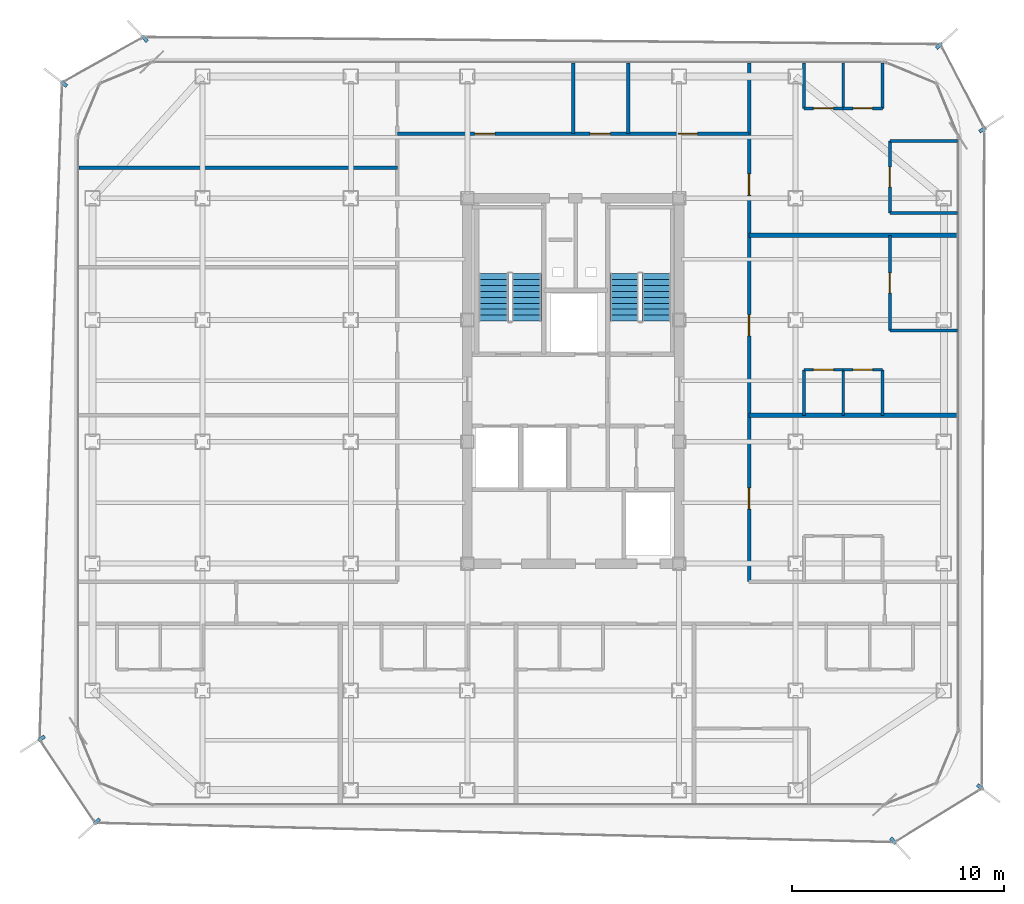
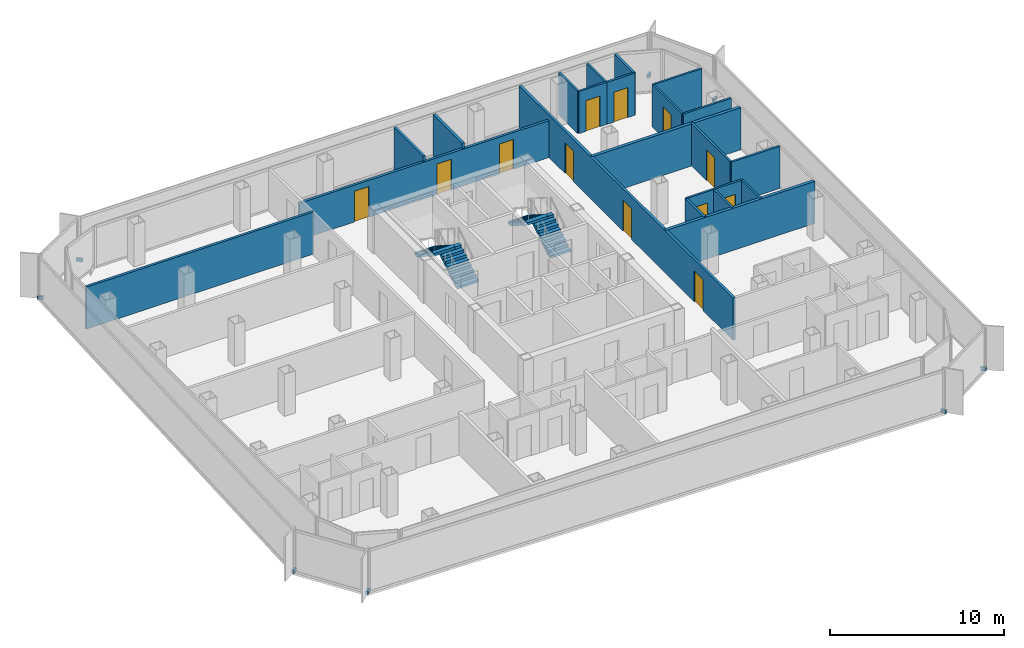
# One storey, part 12 of 15: 22 walls, 12 doors, 8 discrete accessories, 4 stair flights, 12 openings, 2 elements without a shape of their own.
"""IFC4 building model written with IfcOpenShell, lengths in metres."""

from ifc_helpers import new_model, si_unit, direction, frame, frame_2d, origin, origin_2d, place, context, subcontext, project, spatial, polyline, rectangle, outline, extrude, source, transform, mapped, material, layer, layer_set, type_object, element, fill, aggregate, save


model = new_model("IFC4")

# Units and contexts
model_context = context("Model", 3, precision=1e-05, world=origin(), true_north=direction((0.0, 1.0)))
body_context = subcontext(model_context, "Body", "Model", "MODEL_VIEW")
ifc_project = project(units=[si_unit("LENGTHUNIT", "METRE"), si_unit("AREAUNIT", "SQUARE_METRE"), si_unit("VOLUMEUNIT", "CUBIC_METRE"), si_unit("PLANEANGLEUNIT", "RADIAN"), si_unit("MASSUNIT", "GRAM", prefix="KILO")], contexts=[model_context])

# Site, building, storey
site_placement = place(None, origin())
site = spatial("IfcSite", under=ifc_project, at=site_placement, CompositionType="ELEMENT")
building_placement = place(site_placement, origin())
building = spatial("IfcBuilding", under=site, at=building_placement, Name="Kolveth Station Tower", CompositionType="ELEMENT")
storey_placement = place(building_placement, frame((0.0, 0.0, 165.699951171875)))
storey = spatial("IfcBuildingStorey", under=building, at=storey_placement, Name="L46", CompositionType="ELEMENT", Elevation=165.699951171875)

# Wall, opening, door
ifc_material_1 = material(Name="Moisture-resistant gypsum partition")
ifc_layer_1 = layer(ifc_material_1, 0.135009765625)
ifc_layer_set_1 = layer_set([ifc_layer_1], Name="Moisture-resistant gypsum partition")
wall_type_1 = type_object("IfcWallType", Name="Wall_IW-135", PredefinedType="PARTITIONING", material=ifc_layer_set_1)
wall_1_placement = place(storey_placement, frame((34.39990234375, 20.64990234375, 0.0), z_axis=(0.0, 0.0, 1.0), x_axis=(1.0, 0.0, 0.0)))
wall_1 = element("IfcWall", 1, at=wall_1_placement, inside=storey, type_object=wall_type_1, Name="L46 Partition Wall WL-L46-E2-IBHK", PredefinedType="PARTITIONING", context=body_context, shape_type="SweptSolid", body=[
    extrude(rectangle(XDim=1.85009765625, YDim=0.135009765625, at=frame_2d((0.925048828125, 0.0))), origin(), (0.0, 0.0, 1.0), 2.949951171875),
])
opening_1_placement = place(wall_1_placement, frame((0.445068359375, 0.0, 0.0)))
opening_1 = element("IfcOpeningElement", 2, at=opening_1_placement, cuts=wall_1, Name="Opening ID1", PredefinedType="OPENING", context=body_context, shape_type="SweptSolid", body=[
    extrude(rectangle(XDim=0.949951171875, YDim=2.14990234375, at=frame_2d((0.47509765625, 1.074951171875))), frame((0.0, 0.077392578125, 0.0), z_axis=(0.0, -1.0, 0.0), x_axis=(1.0, 0.0, 0.0)), (0.0, 0.0, 1.0), 0.155029296875),
])
ifc_material_2 = material(Name="Acoustic hardwood leaf and aluminium frame", Category="wood")
door_type_1 = type_object("IfcDoorType", Name="Door_ID1", OperationType="NOTDEFINED", PredefinedType="DOOR", material=ifc_material_2)
door_1_placement = place(opening_1_placement, origin())
door_1 = element("IfcDoor", 3, at=door_1_placement, inside=storey, type_object=door_type_1, Name="Flat L46-E2 Kitchen Door", OperationType="SINGLE_SWING_RIGHT", OverallHeight=2.14990234375, OverallWidth=0.949951171875, PredefinedType="DOOR", context=body_context, shape_type="SweptSolid", body=[
    extrude(rectangle(XDim=0.949951171875, YDim=2.14990234375, at=frame_2d((0.47509765625, 1.074951171875))), frame((0.0, 0.02490234375, 0.0), z_axis=(0.0, -1.0, 0.0), x_axis=(1.0, 0.0, 0.0)), (0.0, 0.0, 1.0), 0.050048828125),
])
fill(opening_1, door_1)

wall_2_placement = place(storey_placement, frame((36.25, 20.64990234375, 0.0), z_axis=(0.0, 0.0, 1.0), x_axis=(1.0, 0.0, 0.0)))
wall_2 = element("IfcWall", 4, at=wall_2_placement, inside=storey, type_object=wall_type_1, Name="L46 Partition Wall WL-L46-E2-IBHB", PredefinedType="PARTITIONING", context=body_context, shape_type="SweptSolid", body=[
    extrude(rectangle(XDim=1.85009765625, YDim=0.135009765625, at=frame_2d((0.925048828125, 0.0))), origin(), (0.0, 0.0, 1.0), 2.949951171875),
])
opening_2_placement = place(wall_2_placement, frame((0.465087890625, 0.0, 0.0)))
opening_2 = element("IfcOpeningElement", 5, at=opening_2_placement, cuts=wall_2, Name="Opening ID2", PredefinedType="OPENING", context=body_context, shape_type="SweptSolid", body=[
    extrude(rectangle(XDim=0.919921875, YDim=2.10009765625, at=frame_2d((0.4599609375, 1.050048828125))), frame((0.0, 0.077392578125, 0.0), z_axis=(0.0, -1.0, 0.0), x_axis=(1.0, 0.0, 0.0)), (0.0, 0.0, 1.0), 0.155029296875),
])
ifc_material_3 = material(Name="Moisture-resistant hardwood leaf", Category="wood")
door_type_2 = type_object("IfcDoorType", Name="Door_ID2", OperationType="NOTDEFINED", PredefinedType="DOOR", material=ifc_material_3)
door_2_placement = place(opening_2_placement, origin())
door_2 = element("IfcDoor", 6, at=door_2_placement, inside=storey, type_object=door_type_2, Name="Flat L46-E2 Bathroom Door", OperationType="SINGLE_SWING_LEFT", OverallHeight=2.10009765625, OverallWidth=0.919921875, PredefinedType="DOOR", context=body_context, shape_type="SweptSolid", body=[
    extrude(rectangle(XDim=0.919921875, YDim=2.10009765625, at=frame_2d((0.4599609375, 1.050048828125))), frame((0.0, 0.02490234375, 0.0), z_axis=(0.0, -1.0, 0.0), x_axis=(1.0, 0.0, 0.0)), (0.0, 0.0, 1.0), 0.050048828125),
])
fill(opening_2, door_2)

# Walls
for number, where, z_axis, x_axis, name in (
    (7, (34.39990234375, 18.5, 0.0), (0.0, 0.0, 1.0), (0.0, 1.0, 0.0), "L46 Partition Wall WL-L46-E2-IBV0"),
    (8, (36.25, 18.5, 0.0), (0.0, 0.0, 1.0), (0.0, 1.0, 0.0), "L46 Partition Wall WL-L46-E2-IBV1"),
    (9, (38.10009765625, 18.5, 0.0), (0.0, 0.0, 1.0), (0.0, 1.0, 0.0), "L46 Partition Wall WL-L46-E2-IBV2"),
):
    element("IfcWall", number, at=place(storey_placement, frame(where, z_axis=z_axis, x_axis=x_axis)), inside=storey, type_object=wall_type_1, Name=name, PredefinedType="PARTITIONING", context=body_context, shape_type="SweptSolid", body=[
        extrude(rectangle(XDim=2.14990234375, YDim=0.135009765625, at=frame_2d((1.074951171875, 0.0))), origin(), (0.0, 0.0, 1.0), 2.949951171875),
    ])
wall_3_placement = place(storey_placement, frame((38.449951171875, 22.5, 0.0), z_axis=(0.0, 0.0, 1.0), x_axis=(1.0, 0.0, 0.0)))
element("IfcWall", 10, at=wall_3_placement, inside=storey, type_object=wall_type_1, Name="L46 Partition Wall WL-L46-E2-BDH0", PredefinedType="PARTITIONING", context=body_context, shape_type="SweptSolid", body=[
    extrude(rectangle(XDim=3.18994140625, YDim=0.135009765625, at=frame_2d((1.594970703125, 0.0))), origin(), (0.0, 0.0, 1.0), 2.949951171875),
])

# Wall, opening, door
wall_4_placement = place(storey_placement, frame((38.449951171875, 22.5, 0.0), z_axis=(0.0, 0.0, 1.0), x_axis=(0.0, 1.0, 0.0)))
wall_4 = element("IfcWall", 11, at=wall_4_placement, inside=storey, type_object=wall_type_1, Name="L46 Partition Wall WL-L46-E2-BDV1", PredefinedType="PARTITIONING", context=body_context, shape_type="SweptSolid", body=[
    extrude(rectangle(XDim=4.5, YDim=0.135009765625, at=frame_2d((2.25, 0.0))), origin(), (0.0, 0.0, 1.0), 2.949951171875),
])
opening_3_placement = place(wall_4_placement, frame((1.77001953125, 0.0, 0.0)))
opening_3 = element("IfcOpeningElement", 12, at=opening_3_placement, cuts=wall_4, Name="Opening ID1", PredefinedType="OPENING", context=body_context, shape_type="SweptSolid", body=[
    extrude(rectangle(XDim=0.949951171875, YDim=2.14990234375, at=frame_2d((0.47509765625, 1.074951171875))), frame((0.0, 0.077392578125, 0.0), z_axis=(0.0, -1.0, 0.0), x_axis=(1.0, 0.0, 0.0)), (0.0, 0.0, 1.0), 0.155029296875),
])
door_3_placement = place(opening_3_placement, frame((0.949951171875, 0.0, 0.0), z_axis=(0.0, 0.0, 1.0), x_axis=(-1.0, 0.0, 0.0)))
door_3 = element("IfcDoor", 13, at=door_3_placement, inside=storey, type_object=door_type_1, Name="Flat L46-E2 Bedroom 1 Door", OperationType="SINGLE_SWING_RIGHT", OverallHeight=2.14990234375, OverallWidth=0.949951171875, PredefinedType="DOOR", context=body_context, shape_type="SweptSolid", body=[
    extrude(rectangle(XDim=0.949951171875, YDim=2.14990234375, at=frame_2d((0.47509765625, 1.074951171875))), frame((0.0, 0.02490234375, 0.0), z_axis=(0.0, -1.0, 0.0), x_axis=(1.0, 0.0, 0.0)), (0.0, 0.0, 1.0), 0.050048828125),
])
fill(opening_3, door_3)

wall_5_placement = place(storey_placement, frame((34.39990234375, 32.989990234375, 0.0), z_axis=(0.0, 0.0, 1.0), x_axis=(1.0, 0.0, 0.0)))
wall_5 = element("IfcWall", 14, at=wall_5_placement, inside=storey, type_object=wall_type_1, Name="L46 Partition Wall WL-L46-E3-IBHK", PredefinedType="PARTITIONING", context=body_context, shape_type="SweptSolid", body=[
    extrude(rectangle(XDim=1.85009765625, YDim=0.135009765625, at=frame_2d((0.925048828125, 0.0))), origin(), (0.0, 0.0, 1.0), 2.949951171875),
])
opening_4_placement = place(wall_5_placement, frame((0.445068359375, 0.0, 0.0)))
opening_4 = element("IfcOpeningElement", 15, at=opening_4_placement, cuts=wall_5, Name="Opening ID1", PredefinedType="OPENING", context=body_context, shape_type="SweptSolid", body=[
    extrude(rectangle(XDim=0.949951171875, YDim=2.14990234375, at=frame_2d((0.47509765625, 1.074951171875))), frame((0.0, 0.077392578125, 0.0), z_axis=(0.0, -1.0, 0.0), x_axis=(1.0, 0.0, 0.0)), (0.0, 0.0, 1.0), 0.155029296875),
])
door_4_placement = place(opening_4_placement, frame((0.949951171875, 0.0, 0.0), z_axis=(0.0, 0.0, 1.0), x_axis=(-1.0, 0.0, 0.0)))
door_4 = element("IfcDoor", 16, at=door_4_placement, inside=storey, type_object=door_type_1, Name="Flat L46-E3 Kitchen Door", OperationType="SINGLE_SWING_LEFT", OverallHeight=2.14990234375, OverallWidth=0.949951171875, PredefinedType="DOOR", context=body_context, shape_type="SweptSolid", body=[
    extrude(rectangle(XDim=0.949951171875, YDim=2.14990234375, at=frame_2d((0.47509765625, 1.074951171875))), frame((0.0, 0.02490234375, 0.0), z_axis=(0.0, -1.0, 0.0), x_axis=(1.0, 0.0, 0.0)), (0.0, 0.0, 1.0), 0.050048828125),
])
fill(opening_4, door_4)

wall_6_placement = place(storey_placement, frame((36.25, 32.989990234375, 0.0), z_axis=(0.0, 0.0, 1.0), x_axis=(1.0, 0.0, 0.0)))
wall_6 = element("IfcWall", 17, at=wall_6_placement, inside=storey, type_object=wall_type_1, Name="L46 Partition Wall WL-L46-E3-IBHB", PredefinedType="PARTITIONING", context=body_context, shape_type="SweptSolid", body=[
    extrude(rectangle(XDim=1.85009765625, YDim=0.135009765625, at=frame_2d((0.925048828125, 0.0))), origin(), (0.0, 0.0, 1.0), 2.949951171875),
])
opening_5_placement = place(wall_6_placement, frame((0.465087890625, 0.0, 0.0)))
opening_5 = element("IfcOpeningElement", 18, at=opening_5_placement, cuts=wall_6, Name="Opening ID2", PredefinedType="OPENING", context=body_context, shape_type="SweptSolid", body=[
    extrude(rectangle(XDim=0.919921875, YDim=2.10009765625, at=frame_2d((0.4599609375, 1.050048828125))), frame((0.0, 0.077392578125, 0.0), z_axis=(0.0, -1.0, 0.0), x_axis=(1.0, 0.0, 0.0)), (0.0, 0.0, 1.0), 0.155029296875),
])
door_5_placement = place(opening_5_placement, frame((0.919921875, 0.0, 0.0), z_axis=(0.0, 0.0, 1.0), x_axis=(-1.0, 0.0, 0.0)))
door_5 = element("IfcDoor", 19, at=door_5_placement, inside=storey, type_object=door_type_2, Name="Flat L46-E3 Bathroom Door", OperationType="SINGLE_SWING_LEFT", OverallHeight=2.10009765625, OverallWidth=0.919921875, PredefinedType="DOOR", context=body_context, shape_type="SweptSolid", body=[
    extrude(rectangle(XDim=0.919921875, YDim=2.10009765625, at=frame_2d((0.4599609375, 1.050048828125))), frame((0.0, 0.02490234375, 0.0), z_axis=(0.0, -1.0, 0.0), x_axis=(1.0, 0.0, 0.0)), (0.0, 0.0, 1.0), 0.050048828125),
])
fill(opening_5, door_5)

# Walls
for number, where, z_axis, x_axis, name in (
    (20, (34.39990234375, 32.989990234375, 0.0), (0.0, 0.0, 1.0), (0.0, 1.0, 0.0), "L46 Partition Wall WL-L46-E3-IBV0"),
    (21, (36.25, 32.989990234375, 0.0), (0.0, 0.0, 1.0), (0.0, 1.0, 0.0), "L46 Partition Wall WL-L46-E3-IBV1"),
    (22, (38.10009765625, 32.989990234375, 0.0), (0.0, 0.0, 1.0), (0.0, 1.0, 0.0), "L46 Partition Wall WL-L46-E3-IBV2"),
):
    element("IfcWall", number, at=place(storey_placement, frame(where, z_axis=z_axis, x_axis=x_axis)), inside=storey, type_object=wall_type_1, Name=name, PredefinedType="PARTITIONING", context=body_context, shape_type="SweptSolid", body=[
        extrude(rectangle(XDim=2.14990234375, YDim=0.135009765625, at=frame_2d((1.074951171875, 0.0))), origin(), (0.0, 0.0, 1.0), 2.949951171875),
    ])
for number, where, z_axis, x_axis, name in (
    (23, (38.449951171875, 28.050048828125, 0.0), (0.0, 0.0, 1.0), (1.0, 0.0, 0.0), "L46 Partition Wall WL-L46-E3-BDH0"),
    (24, (38.449951171875, 31.449951171875, 0.0), (0.0, 0.0, 1.0), (1.0, 0.0, 0.0), "L46 Partition Wall WL-L46-E3-BDHE"),
):
    element("IfcWall", number, at=place(storey_placement, frame(where, z_axis=z_axis, x_axis=x_axis)), inside=storey, type_object=wall_type_1, Name=name, PredefinedType="PARTITIONING", context=body_context, shape_type="SweptSolid", body=[
        extrude(rectangle(XDim=3.18994140625, YDim=0.135009765625, at=frame_2d((1.594970703125, 0.0))), origin(), (0.0, 0.0, 1.0), 2.949951171875),
    ])

# Wall, opening, door
wall_7_placement = place(storey_placement, frame((38.449951171875, 28.050048828125, 0.0), z_axis=(0.0, 0.0, 1.0), x_axis=(0.0, 1.0, 0.0)))
wall_7 = element("IfcWall", 25, at=wall_7_placement, inside=storey, type_object=wall_type_1, Name="L46 Partition Wall WL-L46-E3-BDV1", PredefinedType="PARTITIONING", context=body_context, shape_type="SweptSolid", body=[
    extrude(rectangle(XDim=3.39990234375, YDim=0.135009765625, at=frame_2d((1.699951171875, 0.0))), origin(), (0.0, 0.0, 1.0), 2.949951171875),
])
opening_6_placement = place(wall_7_placement, frame((1.219970703125, 0.0, 0.0)))
opening_6 = element("IfcOpeningElement", 26, at=opening_6_placement, cuts=wall_7, Name="Opening ID1", PredefinedType="OPENING", context=body_context, shape_type="SweptSolid", body=[
    extrude(rectangle(XDim=0.949951171875, YDim=2.14990234375, at=frame_2d((0.47509765625, 1.074951171875))), frame((0.0, 0.077392578125, 0.0), z_axis=(0.0, -1.0, 0.0), x_axis=(1.0, 0.0, 0.0)), (0.0, 0.0, 1.0), 0.155029296875),
])
door_6_placement = place(opening_6_placement, frame((0.949951171875, 0.0, 0.0), z_axis=(0.0, 0.0, 1.0), x_axis=(-1.0, 0.0, 0.0)))
door_6 = element("IfcDoor", 27, at=door_6_placement, inside=storey, type_object=door_type_1, Name="Flat L46-E3 Bedroom 1 Door", OperationType="SINGLE_SWING_RIGHT", OverallHeight=2.14990234375, OverallWidth=0.949951171875, PredefinedType="DOOR", context=body_context, shape_type="SweptSolid", body=[
    extrude(rectangle(XDim=0.949951171875, YDim=2.14990234375, at=frame_2d((0.47509765625, 1.074951171875))), frame((0.0, 0.02490234375, 0.0), z_axis=(0.0, -1.0, 0.0), x_axis=(1.0, 0.0, 0.0)), (0.0, 0.0, 1.0), 0.050048828125),
])
fill(opening_6, door_6)

# Wall, openings, doors
ifc_material_4 = material(Name="Acoustic double-stud gypsum partition")
ifc_layer_2 = layer(ifc_material_4, 0.1650390625)
ifc_layer_set_2 = layer_set([ifc_layer_2], Name="Acoustic double-stud gypsum partition")
wall_type_2 = type_object("IfcWallType", Name="Wall_IW-165", PredefinedType="PARTITIONING", material=ifc_layer_set_2)
wall_8_placement = place(storey_placement, frame((15.199951171875, 31.800048828125, 0.0), z_axis=(0.0, 0.0, 1.0), x_axis=(1.0, 0.0, 0.0)))
wall_8 = element("IfcWall", 28, at=wall_8_placement, inside=storey, type_object=wall_type_2, Name="L46 Partition Wall WL-L46-RN", PredefinedType="PARTITIONING", context=body_context, shape_type="SweptSolid", body=[
    extrude(rectangle(XDim=16.60009765625, YDim=0.1650390625, at=frame_2d((8.300048828125, 0.0))), origin(), (0.0, 0.0, 1.0), 2.5830078125),
])
opening_7_placement = place(wall_8_placement, frame((3.64990234375, 0.0, 0.0)))
opening_7 = element("IfcOpeningElement", 29, at=opening_7_placement, cuts=wall_8, Name="Opening ID1", PredefinedType="OPENING", context=body_context, shape_type="SweptSolid", body=[
    extrude(rectangle(XDim=0.949951171875, YDim=2.14990234375, at=frame_2d((0.47509765625, 1.074951171875))), frame((0.0, 0.092529296875, 0.0), z_axis=(0.0, -1.0, 0.0), x_axis=(1.0, 0.0, 0.0)), (0.0, 0.0, 1.0), 0.18505859375),
])
opening_8_placement = place(wall_8_placement, frame((9.10009765625, 0.0, 0.0)))
opening_8 = element("IfcOpeningElement", 30, at=opening_8_placement, cuts=wall_8, Name="Opening ID1", PredefinedType="OPENING", context=body_context, shape_type="SweptSolid", body=[
    extrude(rectangle(XDim=0.949951171875, YDim=2.14990234375, at=frame_2d((0.47509765625, 1.074951171875))), frame((0.0, 0.092529296875, 0.0), z_axis=(0.0, -1.0, 0.0), x_axis=(1.0, 0.0, 0.0)), (0.0, 0.0, 1.0), 0.18505859375),
])
opening_9_placement = place(wall_8_placement, frame((13.25, 0.0, 0.0)))
opening_9 = element("IfcOpeningElement", 31, at=opening_9_placement, cuts=wall_8, Name="Opening ID2", PredefinedType="OPENING", context=body_context, shape_type="SweptSolid", body=[
    extrude(rectangle(XDim=0.919921875, YDim=2.10009765625, at=frame_2d((0.4599609375, 1.050048828125))), frame((0.0, 0.092529296875, 0.0), z_axis=(0.0, -1.0, 0.0), x_axis=(1.0, 0.0, 0.0)), (0.0, 0.0, 1.0), 0.18505859375),
])
door_7_placement = place(opening_7_placement, origin())
door_7 = element("IfcDoor", 32, at=door_7_placement, inside=storey, type_object=door_type_1, Name="L46 Residents' Sky Lounge Door", OperationType="SINGLE_SWING_RIGHT", OverallHeight=2.14990234375, OverallWidth=0.949951171875, PredefinedType="DOOR", context=body_context, shape_type="SweptSolid", body=[
    extrude(rectangle(XDim=0.949951171875, YDim=2.14990234375, at=frame_2d((0.47509765625, 1.074951171875))), frame((0.0, 0.02490234375, 0.0), z_axis=(0.0, -1.0, 0.0), x_axis=(1.0, 0.0, 0.0)), (0.0, 0.0, 1.0), 0.050048828125),
])
fill(opening_7, door_7)
door_8_placement = place(opening_8_placement, origin())
door_8 = element("IfcDoor", 33, at=door_8_placement, inside=storey, type_object=door_type_1, Name="L46 Residents' Committee Room Door", OperationType="SINGLE_SWING_LEFT", OverallHeight=2.14990234375, OverallWidth=0.949951171875, PredefinedType="DOOR", context=body_context, shape_type="SweptSolid", body=[
    extrude(rectangle(XDim=0.949951171875, YDim=2.14990234375, at=frame_2d((0.47509765625, 1.074951171875))), frame((0.0, 0.02490234375, 0.0), z_axis=(0.0, -1.0, 0.0), x_axis=(1.0, 0.0, 0.0)), (0.0, 0.0, 1.0), 0.050048828125),
])
fill(opening_8, door_8)
door_9_placement = place(opening_9_placement, origin())
door_9 = element("IfcDoor", 34, at=door_9_placement, inside=storey, type_object=door_type_2, Name="L46 Accessible Residents' WC Door", OperationType="SINGLE_SWING_RIGHT", OverallHeight=2.10009765625, OverallWidth=0.919921875, PredefinedType="DOOR", context=body_context, shape_type="SweptSolid", body=[
    extrude(rectangle(XDim=0.919921875, YDim=2.10009765625, at=frame_2d((0.4599609375, 1.050048828125))), frame((0.0, 0.02490234375, 0.0), z_axis=(0.0, -1.0, 0.0), x_axis=(1.0, 0.0, 0.0)), (0.0, 0.0, 1.0), 0.050048828125),
])
fill(opening_9, door_9)

wall_9_placement = place(storey_placement, frame((31.800048828125, 10.64990234375, 0.0), z_axis=(0.0, 0.0, 1.0), x_axis=(0.0, 1.0, 0.0)))
wall_9 = element("IfcWall", 35, at=wall_9_placement, inside=storey, type_object=wall_type_2, Name="L46 Partition Wall WL-L46-RE", PredefinedType="PARTITIONING", context=body_context, shape_type="SweptSolid", body=[
    extrude(rectangle(XDim=24.489990234375, YDim=0.1650390625, at=frame_2d((12.2451171875, 0.0))), origin(), (0.0, 0.0, 1.0), 2.949951171875),
])
opening_10_placement = place(wall_9_placement, frame((3.425048828125, 0.0, 0.0)))
opening_10 = element("IfcOpeningElement", 36, at=opening_10_placement, cuts=wall_9, Name="Opening FD3", PredefinedType="OPENING", context=body_context, shape_type="SweptSolid", body=[
    extrude(rectangle(XDim=1.0, YDim=2.14990234375, at=frame_2d((0.5, 1.074951171875))), frame((0.0, 0.092529296875, 0.0), z_axis=(0.0, -1.0, 0.0), x_axis=(1.0, 0.0, 0.0)), (0.0, 0.0, 1.0), 0.18505859375),
])
opening_11_placement = place(wall_9_placement, frame((11.60009765625, 0.0, 0.0)))
opening_11 = element("IfcOpeningElement", 37, at=opening_11_placement, cuts=wall_9, Name="Opening FD3", PredefinedType="OPENING", context=body_context, shape_type="SweptSolid", body=[
    extrude(rectangle(XDim=1.0, YDim=2.14990234375, at=frame_2d((0.5, 1.074951171875))), frame((0.0, 0.092529296875, 0.0), z_axis=(0.0, -1.0, 0.0), x_axis=(1.0, 0.0, 0.0)), (0.0, 0.0, 1.0), 0.18505859375),
])
opening_12_placement = place(wall_9_placement, frame((18.25, 0.0, 0.0)))
opening_12 = element("IfcOpeningElement", 38, at=opening_12_placement, cuts=wall_9, Name="Opening FD3", PredefinedType="OPENING", context=body_context, shape_type="SweptSolid", body=[
    extrude(rectangle(XDim=1.0, YDim=2.14990234375, at=frame_2d((0.5, 1.074951171875))), frame((0.0, 0.092529296875, 0.0), z_axis=(0.0, -1.0, 0.0), x_axis=(1.0, 0.0, 0.0)), (0.0, 0.0, 1.0), 0.18505859375),
])
ifc_material_5 = material(Name="Fire-rated hardwood leaf and aluminium frame", Category="wood")
door_type_3 = type_object("IfcDoorType", Name="Door_FD3", OperationType="NOTDEFINED", PredefinedType="DOOR", material=ifc_material_5)
door_10_placement = place(opening_10_placement, frame((1.0, 0.0, 0.0), z_axis=(0.0, 0.0, 1.0), x_axis=(-1.0, 0.0, 0.0)))
door_10 = element("IfcDoor", 39, at=door_10_placement, inside=storey, type_object=door_type_3, Name="Flat L46-E1 Entrance Door", OperationType="SINGLE_SWING_LEFT", OverallHeight=2.14990234375, OverallWidth=1.0, PredefinedType="DOOR", context=body_context, shape_type="SweptSolid", body=[
    extrude(rectangle(XDim=1.0, YDim=2.14990234375, at=frame_2d((0.5, 1.074951171875))), frame((0.0, 0.02490234375, 0.0), z_axis=(0.0, -1.0, 0.0), x_axis=(1.0, 0.0, 0.0)), (0.0, 0.0, 1.0), 0.050048828125),
])
fill(opening_10, door_10)
door_11_placement = place(opening_11_placement, frame((1.0, 0.0, 0.0), z_axis=(0.0, 0.0, 1.0), x_axis=(-1.0, 0.0, 0.0)))
door_11 = element("IfcDoor", 40, at=door_11_placement, inside=storey, type_object=door_type_3, Name="Flat L46-E2 Entrance Door", OperationType="SINGLE_SWING_LEFT", OverallHeight=2.14990234375, OverallWidth=1.0, PredefinedType="DOOR", context=body_context, shape_type="SweptSolid", body=[
    extrude(rectangle(XDim=1.0, YDim=2.14990234375, at=frame_2d((0.5, 1.074951171875))), frame((0.0, 0.02490234375, 0.0), z_axis=(0.0, -1.0, 0.0), x_axis=(1.0, 0.0, 0.0)), (0.0, 0.0, 1.0), 0.050048828125),
])
fill(opening_11, door_11)
door_12_placement = place(opening_12_placement, frame((1.0, 0.0, 0.0), z_axis=(0.0, 0.0, 1.0), x_axis=(-1.0, 0.0, 0.0)))
door_12 = element("IfcDoor", 41, at=door_12_placement, inside=storey, type_object=door_type_3, Name="Flat L46-E3 Entrance Door", OperationType="SINGLE_SWING_LEFT", OverallHeight=2.14990234375, OverallWidth=1.0, PredefinedType="DOOR", context=body_context, shape_type="SweptSolid", body=[
    extrude(rectangle(XDim=1.0, YDim=2.14990234375, at=frame_2d((0.5, 1.074951171875))), frame((0.0, 0.02490234375, 0.0), z_axis=(0.0, -1.0, 0.0), x_axis=(1.0, 0.0, 0.0)), (0.0, 0.0, 1.0), 0.050048828125),
])
fill(opening_12, door_12)

# Walls
wall_10_placement = place(storey_placement, frame((0.159912109375, 30.199951171875, 0.0), z_axis=(0.0, 0.0, 1.0), x_axis=(1.0, 0.0, 0.0)))
element("IfcWall", 42, at=wall_10_placement, inside=storey, type_object=wall_type_2, Name="L46 Partition Wall WL-L46-RWA-P3", PredefinedType="PARTITIONING", context=body_context, shape_type="SweptSolid", body=[
    extrude(rectangle(XDim=15.0400390625, YDim=0.1650390625, at=frame_2d((7.52001953125, 0.0))), origin(), (0.0, 0.0, 1.0), 2.949951171875),
])
for number, where, z_axis, x_axis, name in (
    (43, (23.5, 31.800048828125, 0.0), (0.0, 0.0, 1.0), (0.0, 1.0, 0.0), "L46 Partition Wall WL-L46-RN-P1"),
    (44, (26.10009765625, 31.800048828125, 0.0), (0.0, 0.0, 1.0), (0.0, 1.0, 0.0), "L46 Partition Wall WL-L46-RN-P2"),
):
    element("IfcWall", number, at=place(storey_placement, frame(where, z_axis=z_axis, x_axis=x_axis)), inside=storey, type_object=wall_type_2, Name=name, PredefinedType="PARTITIONING", context=body_context, shape_type="SweptSolid", body=[
        extrude(rectangle(XDim=3.33984375, YDim=0.1650390625, at=frame_2d((1.669921875, 0.0))), origin(), (0.0, 0.0, 1.0), 2.949951171875),
    ])
ifc_material_6 = material(Name="Acoustic fire-rated gypsum blockwork", Category="masonry")
ifc_layer_3 = layer(ifc_material_6, 0.199951171875)
ifc_layer_set_3 = layer_set([ifc_layer_3], Name="Acoustic fire-rated gypsum blockwork")
wall_type_3 = type_object("IfcWallType", Name="Wall_IW-200", PredefinedType="PARTITIONING", material=ifc_layer_set_3)
for number, where, z_axis, x_axis, name in (
    (45, (31.800048828125, 18.5, 0.0), (0.0, 0.0, 1.0), (1.0, 0.0, 0.0), "L46 Partition Wall WL-L46-REU-1"),
    (46, (31.800048828125, 27.0, 0.0), (0.0, 0.0, 1.0), (1.0, 0.0, 0.0), "L46 Partition Wall WL-L46-REU-2"),
):
    element("IfcWall", number, at=place(storey_placement, frame(where, z_axis=z_axis, x_axis=x_axis)), inside=storey, type_object=wall_type_3, Name=name, PredefinedType="PARTITIONING", context=body_context, shape_type="SweptSolid", body=[
        extrude(rectangle(XDim=9.83984375, YDim=0.199951171875, at=frame_2d((4.919921875, 0.0))), origin(), (0.0, 0.0, 1.0), 2.949951171875),
    ])

# Stair, stair flights
ifc_material_7 = material(Name="Concrete C40/50", Category="concrete")
stair_type_1 = type_object("IfcStairType", Name="Stair_ST1", PredefinedType="HALF_TURN_STAIR", material=ifc_material_7)
stair_1_placement = place(storey_placement, origin())
stair_1 = element("IfcStair", 47, at=stair_1_placement, inside=storey, type_object=stair_type_1, Name="L46 Tower Exit Stair ST1", PredefinedType="HALF_TURN_STAIR")
ifc_layer_4 = layer(ifc_material_7, 0.179931640625)
ifc_layer_set_4 = layer_set([ifc_layer_4], Name="Concrete C40/50")
stair_flight_type_1 = type_object("IfcStairFlightType", Name="Flight_ST1", PredefinedType="STRAIGHT", material=ifc_layer_set_4)
stair_flight_1_placement = place(storey_placement, frame((21.300048828125, 22.949951171875, 0.0), z_axis=(0.0, 0.0, 1.0), x_axis=(0.0, 1.0, 0.0)))
stair_flight_1 = element("IfcStairFlight", 48, at=stair_flight_1_placement, type_object=stair_flight_type_1, Name="ST1 flight 1", NumberOfRisers=9, NumberOfTreads=8, PredefinedType="STRAIGHT", RiserHeight=0.177777778, TreadLength=0.28, context=body_context, shape_type="SweptSolid", body=[
    extrude(outline(polyline([(0.0, 0.0), (0.0, 0.177734375), (0.280029296875, 0.177734375), (0.280029296875, 0.35546875), (0.56005859375, 0.35546875), (0.56005859375, 0.533447265625), (0.840087890625, 0.533447265625), (0.840087890625, 0.711181640625), (1.1201171875, 0.711181640625), (1.1201171875, 0.888916015625), (1.39990234375, 0.888916015625), (1.39990234375, 1.066650390625), (1.679931640625, 1.066650390625), (1.679931640625, 1.244384765625), (1.9599609375, 1.244384765625), (1.9599609375, 1.422119140625), (2.239990234375, 1.422119140625), (2.239990234375, 1.60009765625), (2.239990234375, 1.24462890625), (0.27978515625, 0.0), (0.0, 0.0)])), frame((0.0, 0.699951171875, 0.0), z_axis=(0.0, -1.0, 0.0), x_axis=(1.0, 0.0, 0.0)), (0.0, 0.0, 1.0), 1.39990234375),
])
stair_flight_2_placement = place(storey_placement, frame((19.739990234375, 25.18994140625, 1.60009765625), z_axis=(0.0, 0.0, 1.0), x_axis=(0.0, -1.0, 0.0)))
stair_flight_2 = element("IfcStairFlight", 49, at=stair_flight_2_placement, type_object=stair_flight_type_1, Name="ST1 flight 2", NumberOfRisers=9, NumberOfTreads=8, PredefinedType="STRAIGHT", RiserHeight=0.177777778, TreadLength=0.28, context=body_context, shape_type="SweptSolid", body=[
    extrude(outline(polyline([(0.0, 0.0), (0.0, 0.177734375), (0.280029296875, 0.177734375), (0.280029296875, 0.35546875), (0.56005859375, 0.35546875), (0.56005859375, 0.533447265625), (0.840087890625, 0.533447265625), (0.840087890625, 0.711181640625), (1.1201171875, 0.711181640625), (1.1201171875, 0.888916015625), (1.39990234375, 0.888916015625), (1.39990234375, 1.066650390625), (1.679931640625, 1.066650390625), (1.679931640625, 1.244384765625), (1.9599609375, 1.244384765625), (1.9599609375, 1.422119140625), (2.239990234375, 1.422119140625), (2.239990234375, 1.60009765625), (2.239990234375, 1.24462890625), (0.27978515625, 0.0), (0.0, 0.0)])), frame((0.0, 0.699951171875, 0.0), z_axis=(0.0, -1.0, 0.0), x_axis=(1.0, 0.0, 0.0)), (0.0, 0.0, 1.0), 1.39990234375),
])
aggregate(stair_1, [stair_flight_1, stair_flight_2])

stair_type_2 = type_object("IfcStairType", Name="Stair_ST2", PredefinedType="HALF_TURN_STAIR", material=ifc_material_7)
stair_2_placement = place(storey_placement, origin())
stair_2 = element("IfcStair", 50, at=stair_2_placement, inside=storey, type_object=stair_type_2, Name="L46 Tower Exit Stair ST2", PredefinedType="HALF_TURN_STAIR")
ifc_layer_5 = layer(ifc_material_7, 0.179931640625)
ifc_layer_set_5 = layer_set([ifc_layer_5], Name="Concrete C40/50")
stair_flight_type_2 = type_object("IfcStairFlightType", Name="Flight_ST2", PredefinedType="STRAIGHT", material=ifc_layer_set_5)
stair_flight_3_placement = place(storey_placement, frame((27.425048828125, 22.949951171875, 0.0), z_axis=(0.0, 0.0, 1.0), x_axis=(0.0, 1.0, 0.0)))
stair_flight_3 = element("IfcStairFlight", 51, at=stair_flight_3_placement, type_object=stair_flight_type_2, Name="ST2 flight 1", NumberOfRisers=9, NumberOfTreads=8, PredefinedType="STRAIGHT", RiserHeight=0.177777778, TreadLength=0.28, context=body_context, shape_type="SweptSolid", body=[
    extrude(outline(polyline([(0.0, 0.0), (0.0, 0.177734375), (0.280029296875, 0.177734375), (0.280029296875, 0.35546875), (0.56005859375, 0.35546875), (0.56005859375, 0.533447265625), (0.840087890625, 0.533447265625), (0.840087890625, 0.711181640625), (1.1201171875, 0.711181640625), (1.1201171875, 0.888916015625), (1.39990234375, 0.888916015625), (1.39990234375, 1.066650390625), (1.679931640625, 1.066650390625), (1.679931640625, 1.244384765625), (1.9599609375, 1.244384765625), (1.9599609375, 1.422119140625), (2.239990234375, 1.422119140625), (2.239990234375, 1.60009765625), (2.239990234375, 1.24462890625), (0.27978515625, 0.0), (0.0, 0.0)])), frame((0.0, 0.675048828125, 0.0), z_axis=(0.0, -1.0, 0.0), x_axis=(1.0, 0.0, 0.0)), (0.0, 0.0, 1.0), 1.35009765625),
])
stair_flight_4_placement = place(storey_placement, frame((25.9150390625, 25.18994140625, 1.60009765625), z_axis=(0.0, 0.0, 1.0), x_axis=(0.0, -1.0, 0.0)))
stair_flight_4 = element("IfcStairFlight", 52, at=stair_flight_4_placement, type_object=stair_flight_type_2, Name="ST2 flight 2", NumberOfRisers=9, NumberOfTreads=8, PredefinedType="STRAIGHT", RiserHeight=0.177777778, TreadLength=0.28, context=body_context, shape_type="SweptSolid", body=[
    extrude(outline(polyline([(0.0, 0.0), (0.0, 0.177734375), (0.280029296875, 0.177734375), (0.280029296875, 0.35546875), (0.56005859375, 0.35546875), (0.56005859375, 0.533447265625), (0.840087890625, 0.533447265625), (0.840087890625, 0.711181640625), (1.1201171875, 0.711181640625), (1.1201171875, 0.888916015625), (1.39990234375, 0.888916015625), (1.39990234375, 1.066650390625), (1.679931640625, 1.066650390625), (1.679931640625, 1.244384765625), (1.9599609375, 1.244384765625), (1.9599609375, 1.422119140625), (2.239990234375, 1.422119140625), (2.239990234375, 1.60009765625), (2.239990234375, 1.24462890625), (0.27978515625, 0.0), (0.0, 0.0)])), frame((0.0, 0.675048828125, 0.0), z_axis=(0.0, -1.0, 0.0), x_axis=(1.0, 0.0, 0.0)), (0.0, 0.0, 1.0), 1.35009765625),
])
aggregate(stair_2, [stair_flight_3, stair_flight_4])

# Discrete accessories
ifc_material_8 = material(Name="Steel S355", Category="steel")
discrete_accessory_type = type_object("IfcDiscreteAccessoryType", Name="Bracket_BK1", PredefinedType="BRACKET", material=ifc_material_8)
shared_shape = source(origin(), body_context, "Body", "SweptSolid", [
    extrude(rectangle(XDim=0.35009765625, YDim=0.159912109375, at=origin_2d()), origin(), (0.0, 0.0, 1.0), 0.219970703125),
])
for number, where, z_axis, x_axis, name in (
    (53, (38.612060546875, -1.587890625, -0.06005859375), (0.0, 0.0, 1.0), (0.677389697402, -0.735624359204, 0.0), "L46 Double-Skin Radial Tie Bracket 1"),
    (54, (42.717041015625, 0.93994140625, -0.06005859375), (0.0, 0.0, 1.0), (0.793884282702, -0.608068865901, 0.0), "L46 Double-Skin Radial Tie Bracket 2"),
    (55, (42.83203125, 31.989013671875, -0.06005859375), (0.0, 0.0, 1.0), (0.836955398099, 0.547271104292, 0.0), "L46 Double-Skin Radial Tie Bracket 3"),
    (56, (40.77392578125, 35.948974609375, -0.06005859375), (0.0, 0.0, 1.0), (0.735624359204, 0.677389697402, 0.0), "L46 Double-Skin Radial Tie Bracket 4"),
    (57, (3.263916015625, 36.281982421875, -0.06005859375), (0.0, 0.0, 1.0), (-0.687467850211, 0.726214813211, 0.0), "L46 Double-Skin Radial Tie Bracket 5"),
    (58, (-0.551025390625, 34.14990234375, -0.06005859375), (0.0, 0.0, 1.0), (-0.792609005996, 0.609730238396, 0.0), "L46 Double-Skin Radial Tie Bracket 6"),
    (59, (-1.60791015625, 3.238037109375, -0.06005859375), (0.0, 0.0, 1.0), (-0.842170181815, -0.539211818177, 0.0), "L46 Double-Skin Radial Tie Bracket 7"),
    (60, (1.008056640625, -0.681884765625, -0.06005859375), (0.0, 0.0, 1.0), (-0.735387860781, -0.67764643747, 0.0), "L46 Double-Skin Radial Tie Bracket 8"),
):
    element("IfcDiscreteAccessory", number, at=place(storey_placement, frame(where, z_axis=z_axis, x_axis=x_axis)), inside=storey, type_object=discrete_accessory_type, Name=name, PredefinedType="BRACKET", context=body_context, shape_type="MappedRepresentation", body=[
        mapped(shared_shape, transform((0.0, 0.0, 0.0), x_axis=(1.0, 0.0, 0.0), y_axis=(0.0, 1.0, 0.0), z_axis=(0.0, 0.0, 1.0), scale=1.0)),
    ])

save(model, "model.ifc")
